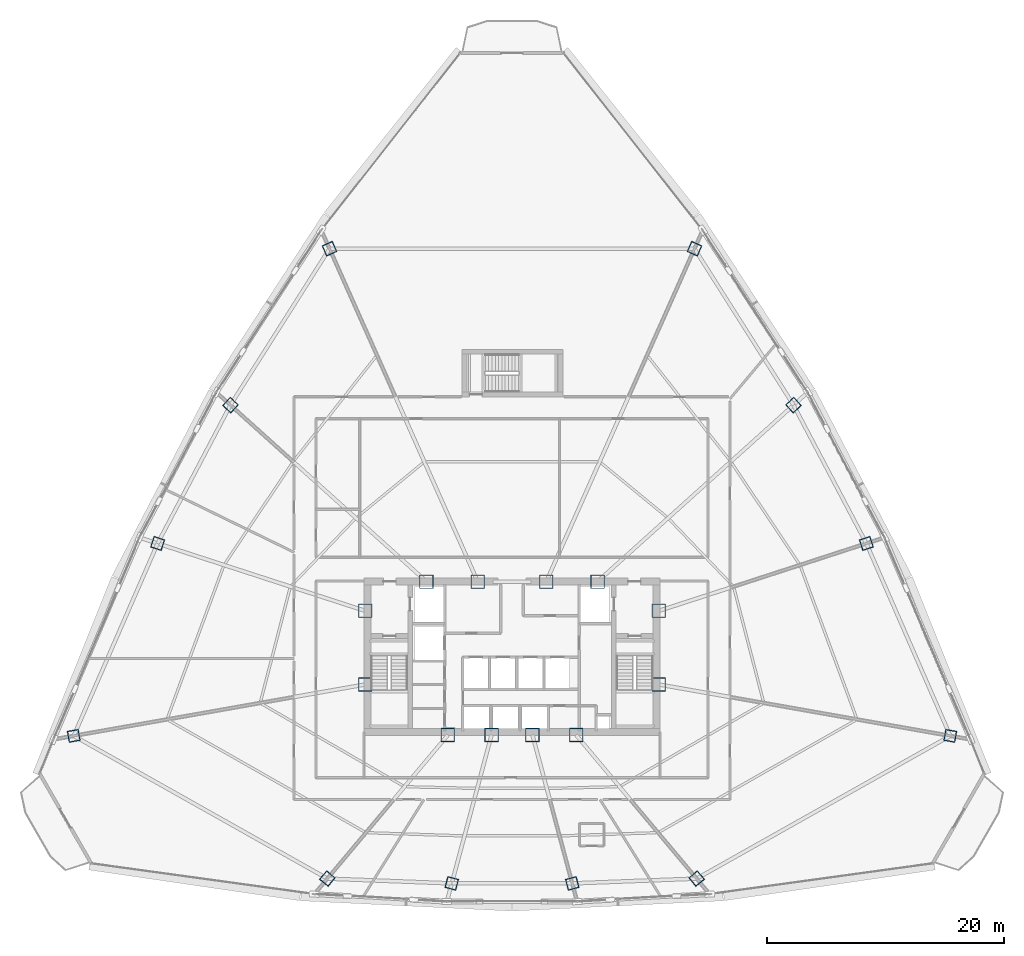
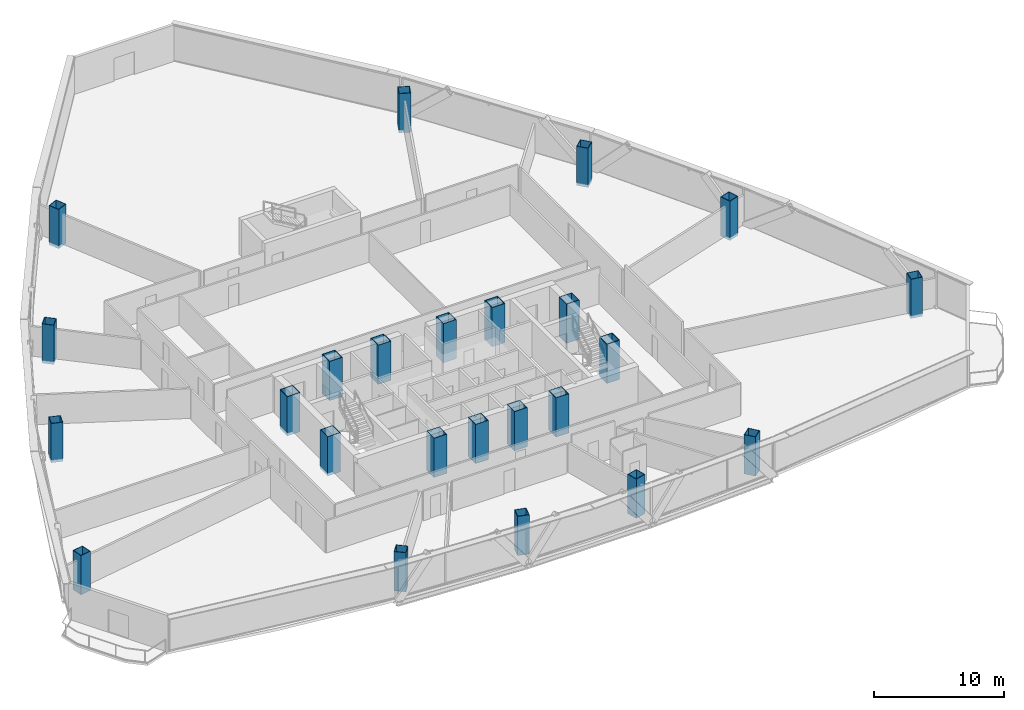
# One storey, part 1 of 39: 24 columns.
"""IFC4 building model written with IfcOpenShell, lengths in metres."""

from ifc_helpers import new_model, si_unit, direction, frame, origin, origin_2d, place, context, subcontext, project, spatial, hollow_rectangle, extrude, source, transform, mapped, material, material_profile, profile_set, type_object, element, save


model = new_model("IFC4")

# Units and contexts
model_context = context("Model", 3, precision=1e-05, world=origin(), true_north=direction((0.0, 1.0)))
body_context = subcontext(model_context, "Body", "Model", "MODEL_VIEW")
ifc_project = project(units=[si_unit("LENGTHUNIT", "METRE"), si_unit("AREAUNIT", "SQUARE_METRE"), si_unit("VOLUMEUNIT", "CUBIC_METRE"), si_unit("PLANEANGLEUNIT", "RADIAN"), si_unit("MASSUNIT", "GRAM", prefix="KILO"), si_unit("THERMODYNAMICTEMPERATUREUNIT", "KELVIN"), si_unit("POWERUNIT", "WATT")], contexts=[model_context])

# Site, building, storey
site_placement = place(None, origin())
site = spatial("IfcSite", under=ifc_project, at=site_placement, CompositionType="ELEMENT")
building_placement = place(site_placement, origin())
building = spatial("IfcBuilding", under=site, at=building_placement, Name="Yunzhuo Pagoda Commons", CompositionType="ELEMENT")
storey_placement = place(building_placement, frame((0.0, 0.0, 144.550048828125)))
storey = spatial("IfcBuildingStorey", under=building, at=storey_placement, Name="L36", CompositionType="ELEMENT", Elevation=144.550048828125)

# Columns
ifc_material = material(Name="Structural steel Q420B", Category="steel")
ifc_material_profile_1 = material_profile(ifc_material, hollow_rectangle(XDim=1.14990234375, YDim=1.14990234375, WallThickness=0.048095703125, at=origin_2d()), Name="Structural steel Q420B")
ifc_profile_set_1 = profile_set([ifc_material_profile_1], Name="Structural steel Q420B")
column_type_1 = type_object("IfcColumnType", Name="C-COR Column BOX 1150x1150x48", PredefinedType="COLUMN", material=ifc_profile_set_1)
shared_shape_1 = source(origin(), body_context, "Body", "SweptSolid", [
    extrude(hollow_rectangle(XDim=1.14990234375, YDim=1.14990234375, WallThickness=0.048095703125, at=origin_2d()), origin(), (0.0, 0.0, 1.0), 3.679931640625),
])
for number, where, z_axis, x_axis, name in (
    (1, (42.587890625, 27.25, -0.260009765625), (0.0, 0.0, 1.0), (1.0, 0.0, 0.0), "L36 core composite column F1C1"),
    (2, (46.27197265625, 27.25, -0.260009765625), (0.0, 0.0, 1.0), (1.0, 0.0, 0.0), "L36 core composite column F1C2"),
    (3, (49.728515625, 27.25, -0.260009765625), (0.0, 0.0, 1.0), (1.0, 0.0, 0.0), "L36 core composite column F1C3"),
    (4, (53.412109375, 27.25, -0.260009765625), (0.0, 0.0, 1.0), (1.0, 0.0, 0.0), "L36 core composite column F1C4"),
    (5, (60.39990234375, 31.513427734375, -0.260009765625), (0.0, 0.0, 1.0), (1.0, 0.0, 0.0), "L36 core composite column F2C1"),
    (6, (60.39990234375, 37.72900390625, -0.260009765625), (0.0, 0.0, 1.0), (1.0, 0.0, 0.0), "L36 core composite column F2C2"),
    (7, (55.218994140625, 40.199951171875, -0.260009765625), (0.0, 0.0, 1.0), (1.0, 0.0, 0.0), "L36 core composite column F2C3"),
    (8, (50.89404296875, 40.199951171875, -0.260009765625), (0.0, 0.0, 1.0), (1.0, 0.0, 0.0), "L36 core composite column F2C4"),
    (9, (45.10595703125, 40.199951171875, -0.260009765625), (0.0, 0.0, 1.0), (1.0, 0.0, 0.0), "L36 core composite column F3C1"),
    (10, (40.781005859375, 40.199951171875, -0.260009765625), (0.0, 0.0, 1.0), (1.0, 0.0, 0.0), "L36 core composite column F3C2"),
    (11, (35.60009765625, 37.72900390625, -0.260009765625), (0.0, 0.0, 1.0), (1.0, 0.0, 0.0), "L36 core composite column F3C3"),
    (12, (35.60009765625, 31.513427734375, -0.260009765625), (0.0, 0.0, 1.0), (1.0, 0.0, 0.0), "L36 core composite column F3C4"),
):
    element("IfcColumn", number, at=place(storey_placement, frame(where, z_axis=z_axis, x_axis=x_axis)), inside=storey, type_object=column_type_1, Name=name, PredefinedType="COLUMN", context=body_context, shape_type="MappedRepresentation", body=[
        mapped(shared_shape_1, transform((0.0, 0.0, 0.0), scale=1.0)),
    ])
ifc_material_profile_2 = material_profile(ifc_material, hollow_rectangle(XDim=0.949951171875, YDim=0.949951171875, WallThickness=0.0400390625, at=origin_2d()), Name="Structural steel Q420B")
ifc_profile_set_2 = profile_set([ifc_material_profile_2], Name="Structural steel Q420B")
column_type_2 = type_object("IfcColumnType", Name="C-Z3 Column BOX 950x950x40", PredefinedType="COLUMN", material=ifc_profile_set_2)
shared_shape_2 = source(origin(), body_context, "Body", "SweptSolid", [
    extrude(hollow_rectangle(XDim=0.949951171875, YDim=0.949951171875, WallThickness=0.0400390625, at=origin_2d()), origin(), (0.0, 0.0, 1.0), 3.679931640625),
])
for number, where, z_axis, x_axis, name in (
    (13, (32.414794921875, 15.126220703125, -0.260009765625), (0.0, 0.0, 1.0), (0.766044443119, -0.642787609687, 0.0), "L36 tower column F1C1"),
    (14, (42.914794921875, 14.7216796875, -0.260009765625), (0.0, 0.0, 1.0), (0.965925826289, -0.258819045103, 0.0), "L36 tower column F1C2"),
    (15, (53.085205078125, 14.7216796875, -0.260009765625), (0.0, 0.0, 1.0), (0.965925826289, 0.258819045103, 0.0), "L36 tower column F1C3"),
    (16, (63.585205078125, 15.126220703125, -0.260009765625), (0.0, 0.0, 1.0), (0.766044443119, 0.642787609687, 0.0), "L36 tower column F1C4"),
    (17, (84.9970703125, 27.176513671875, -0.260009765625), (0.0, 0.0, 1.0), (0.173648177667, 0.984807753012, 0.0), "L36 tower column F2C1"),
    (18, (77.915283203125, 43.420166015625, -0.260009765625), (0.0, 0.0, 1.0), (-0.309016994375, 0.951056516295, 0.0), "L36 tower column F2C2"),
    (19, (71.76611328125, 55.09912109375, -0.260009765625), (0.0, 0.0, 1.0), (-0.669130606359, 0.743144825477, 0.0), "L36 tower column F2C3"),
    (20, (63.406005859375, 68.302734375, -0.260009765625), (0.0, 0.0, 1.0), (-0.913545457643, 0.406736643076, 0.0), "L36 tower column F2C4"),
    (21, (32.593994140625, 68.302734375, -0.260009765625), (0.0, 0.0, 1.0), (-0.913545457643, -0.406736643076, 0.0), "L36 tower column F3C1"),
    (22, (24.23388671875, 55.09912109375, -0.260009765625), (0.0, 0.0, 1.0), (-0.669130606359, -0.743144825477, 0.0), "L36 tower column F3C2"),
    (23, (18.084716796875, 43.420166015625, -0.260009765625), (0.0, 0.0, 1.0), (-0.309016994375, -0.951056516295, 0.0), "L36 tower column F3C3"),
    (24, (11.0029296875, 27.176513671875, -0.260009765625), (0.0, 0.0, 1.0), (0.173648177667, -0.984807753012, 0.0), "L36 tower column F3C4"),
):
    element("IfcColumn", number, at=place(storey_placement, frame(where, z_axis=z_axis, x_axis=x_axis)), inside=storey, type_object=column_type_2, Name=name, PredefinedType="COLUMN", context=body_context, shape_type="MappedRepresentation", body=[
        mapped(shared_shape_2, transform((0.0, 0.0, 0.0), scale=1.0)),
    ])

save(model, "model.ifc")
